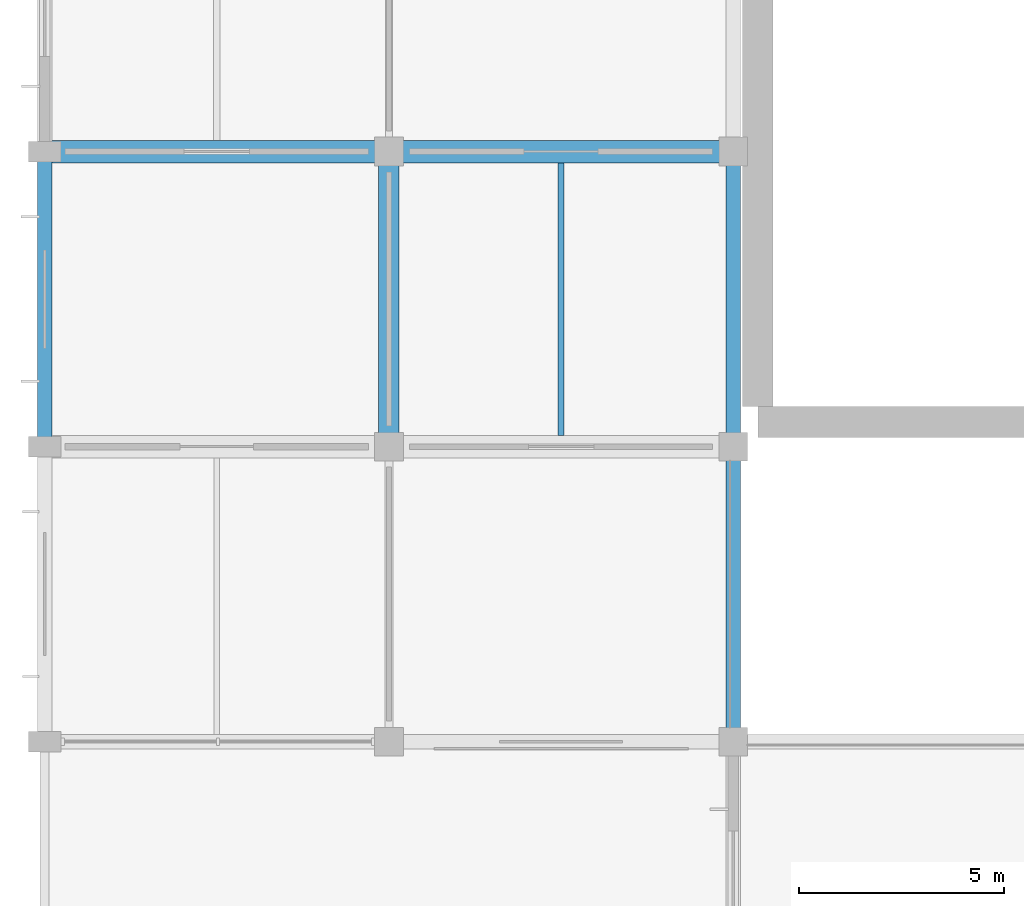
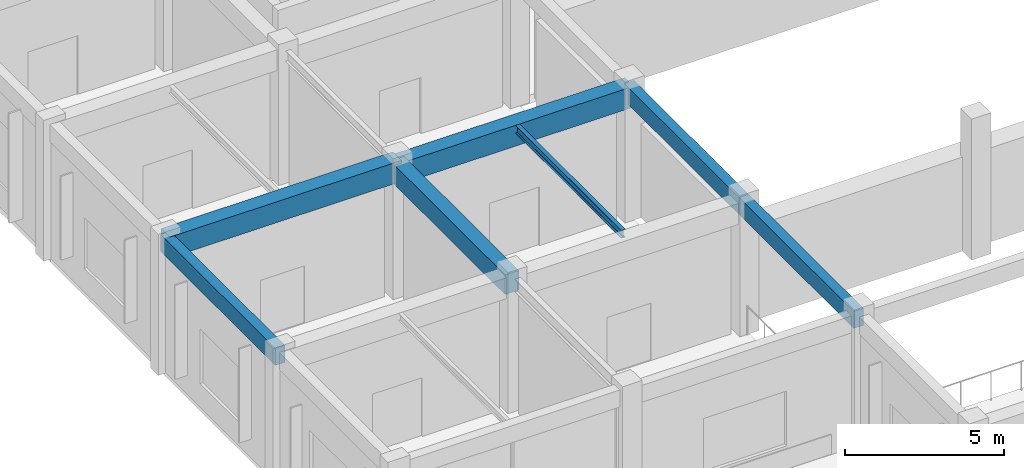
# One storey, part 3 of 41: 7 beams.
"""IFC4 building model written with IfcOpenShell, lengths in metres."""

import ifcopenshell
import ifcopenshell.guid

model = None  # the IFC model being written
_history = None  # IfcOwnerHistory: only IFC2X3 demands one
_inside = {}  # id of a spatial element -> (the spatial element, [elements in it])
_under = {}  # id of a project, library or spatial element -> (it, [spatial elements below it])
_declared = {}  # id of a project -> (the project, [libraries it declares])
_typed = {}  # id of a type object -> (the type object, [elements of that type])
_made_of = {}  # id of a material, layer set ... -> (it, [elements and type objects made of it])


def new_model(schema):
    """Start an empty IFC model of exactly this schema.

    Asked for "IFC4X3", IfcOpenShell would pick the latest addendum, in which some entities
    have other attributes; the version numbers below select the first issue.
    IFC2X3 requires an IfcOwnerHistory on every rooted entity: one is made here for all.
    """
    global model, _history
    if schema == "IFC4X3":
        model = ifcopenshell.file(schema_version=(4, 3, 0, 0))
    else:
        model = ifcopenshell.file(schema=schema)
    _inside.clear()
    _under.clear()
    _declared.clear()
    _typed.clear()
    _made_of.clear()
    _history = None
    if model.schema == "IFC2X3":
        org = make("IfcOrganization", Name="unknown")
        user = make(
            "IfcPersonAndOrganization",
            ThePerson=make("IfcPerson", FamilyName="unknown"),
            TheOrganization=org,
        )
        app = make(
            "IfcApplication",
            ApplicationDeveloper=org,
            Version="unknown",
            ApplicationFullName="unknown",
            ApplicationIdentifier="unknown",
        )
        _history = make(
            "IfcOwnerHistory",
            OwningUser=user,
            OwningApplication=app,
            ChangeAction="ADDED",
            CreationDate=0,
        )
    return model


def make(cls, **values):
    """One entity of the class cls with the attributes given. An attribute that is None is left unset."""
    return model.create_entity(
        cls, **{name: value for name, value in values.items() if value is not None}
    )


def rooted(cls, **values):
    """An entity with a GlobalId (a new one), such as an element, a storey or a relation."""
    return make(cls, GlobalId=ifcopenshell.guid.new(), OwnerHistory=_history, **values)


def si_unit(unit_type, name, prefix=None):
    """IfcSIUnit, for example si_unit("LENGTHUNIT", "METRE", prefix="MILLI")."""
    return make("IfcSIUnit", UnitType=unit_type, Prefix=prefix, Name=name)


def derived_unit(unit_type, elements):
    """IfcDerivedUnit: a product of units, each with its exponent."""
    return make(
        "IfcDerivedUnit",
        Elements=[
            make("IfcDerivedUnitElement", Unit=unit, Exponent=power)
            for unit, power in elements
        ],
        UnitType=unit_type,
    )


def assignment(units):
    """IfcUnitAssignment: the units of a project."""
    return None if units is None else make("IfcUnitAssignment", Units=units)


def point(xyz):
    """IfcCartesianPoint."""
    return None if xyz is None else make("IfcCartesianPoint", Coordinates=xyz)


def direction(xyz):
    """IfcDirection."""
    return None if xyz is None else make("IfcDirection", DirectionRatios=xyz)


def frame(location, z_axis=None, x_axis=None):
    """IfcAxis2Placement3D, a coordinate frame: its origin and axes. An axis left out is left unset."""
    return make(
        "IfcAxis2Placement3D",
        Location=point(location),
        Axis=direction(z_axis),
        RefDirection=direction(x_axis),
    )


def frame_2d(location, x_axis=None):
    """IfcAxis2Placement2D, a coordinate frame in the plane: its origin and x axis."""
    return make(
        "IfcAxis2Placement2D", Location=point(location), RefDirection=direction(x_axis)
    )


def origin():
    """The frame at (0, 0, 0) with its axes left unset."""
    return frame((0.0, 0.0, 0.0))


def origin_2d():
    """The frame at (0, 0) in the plane with its x axis left unset."""
    return frame_2d((0.0, 0.0))


def place(relative_to, where):
    """IfcLocalPlacement: puts the frame where relative to a parent placement (None: the world)."""
    return make(
        "IfcLocalPlacement", PlacementRelTo=relative_to, RelativePlacement=where
    )


def context(
    kind, dimensions, precision=None, world=None, true_north=None, identifier=None
):
    """IfcGeometricRepresentationContext, for example the 3D "Model" context."""
    return make(
        "IfcGeometricRepresentationContext",
        ContextIdentifier=identifier,
        ContextType=kind,
        CoordinateSpaceDimension=dimensions,
        Precision=precision,
        WorldCoordinateSystem=world,
        TrueNorth=true_north,
    )


def subcontext(parent, identifier, kind, view, scale=None):
    """IfcGeometricRepresentationSubContext, for example "Body" below "Model"."""
    return make(
        "IfcGeometricRepresentationSubContext",
        ContextIdentifier=identifier,
        ContextType=kind,
        ParentContext=parent,
        TargetScale=scale,
        TargetView=view,
    )


def project(units=None, contexts=None):
    """IfcProject with its units and contexts."""
    return rooted(
        "IfcProject",
        Name="project",
        RepresentationContexts=contexts,
        UnitsInContext=assignment(units),
    )


def spatial(cls, under=None, at=None, **own):
    """A site, building, storey or space (cls), placed at a placement, below another one or the project."""
    s = rooted(cls, ObjectPlacement=at, **own)
    if under is not None:
        _under.setdefault(under.id(), (under, []))[1].append(s)
    return s


def profile(cls, at=None, kind="AREA", **sizes):
    """A parametric profile (cls). Its sizes go by their IFC names, for example OverallWidth=200.0."""
    return make(cls, ProfileType=kind, Position=at, **sizes)


def rectangle(**sizes):
    """IfcRectangleProfileDef."""
    return profile("IfcRectangleProfileDef", **sizes)


def i_section(**sizes):
    """IfcIShapeProfileDef."""
    return profile("IfcIShapeProfileDef", **sizes)


def extrude(swept, where, along, depth):
    """IfcExtrudedAreaSolid: the profile swept, set in the frame where, extruded along a direction by depth."""
    return make(
        "IfcExtrudedAreaSolid",
        SweptArea=swept,
        Position=where,
        ExtrudedDirection=direction(along),
        Depth=depth,
    )


def shape(context_of_items, identifier, shape_type, items):
    """IfcShapeRepresentation: the items that make up one representation, for example the "Body"."""
    return make(
        "IfcShapeRepresentation",
        ContextOfItems=context_of_items,
        RepresentationIdentifier=identifier,
        RepresentationType=shape_type,
        Items=items,
    )


def material(Name=None, Category=None):
    """IfcMaterial."""
    return make("IfcMaterial", Name=Name, Category=Category)


def material_profile(
    of_material, cross_section, Name=None, Category=None, Priority=None
):
    """IfcMaterialProfile: a cross section and its material."""
    return make(
        "IfcMaterialProfile",
        Name=Name,
        Material=of_material,
        Profile=cross_section,
        Priority=Priority,
        Category=Category,
    )


def profile_set(profiles, Name=None, composite=None):
    """IfcMaterialProfileSet."""
    return make(
        "IfcMaterialProfileSet",
        Name=Name,
        MaterialProfiles=profiles,
        CompositeProfile=composite,
    )


def made_of(thing, what):
    """Note that an element or type object is made of a material, layer set ...; save() writes the relation."""
    if what is not None:
        _made_of.setdefault(what.id(), (what, []))[1].append(thing)
    return thing


def type_object(cls, material=None, **own):
    """A type object (cls), such as IfcWallType, which elements share."""
    return made_of(rooted(cls, **own), material)


def element(
    cls,
    number,
    at=None,
    inside=None,
    cuts=None,
    type_object=None,
    material=None,
    context=None,
    identifier="Body",
    shape_type=None,
    held_by="IfcProductDefinitionShape",
    body=None,
    shapes=None,
    **own,
):
    """One element of the class cls, such as IfcWall. Its Tag is "e" and its number.

    at: its placement. inside: the storey or other place that contains it. cuts: it is an
    opening in that element (IfcRelVoidsElement). A single representation is given by context,
    identifier, shape_type and body (its items); several are given by shapes. held_by: the class
    of the entity that holds the representations. save() writes the other relations.
    """
    e = rooted(cls, Tag="e%d" % number, ObjectPlacement=at, **own)
    if body is not None:
        shapes = [shape(context, identifier, shape_type, body)]
    if shapes is not None:
        e.Representation = make(held_by, Representations=shapes)
    if inside is not None:
        _inside.setdefault(inside.id(), (inside, []))[1].append(e)
    if cuts is not None:
        rooted(
            "IfcRelVoidsElement", RelatingBuildingElement=cuts, RelatedOpeningElement=e
        )
    if type_object is not None:
        _typed.setdefault(type_object.id(), (type_object, []))[1].append(e)
    return made_of(e, material)


def aggregate(whole, parts):
    """IfcRelAggregates: a whole, such as a stair, and the parts it consists of."""
    return rooted("IfcRelAggregates", RelatingObject=whole, RelatedObjects=parts)


def save(model, path):
    """Write the relations noted so far, then the file.

    IfcRelAggregates (storeys below a building ...), IfcRelContainedInSpatialStructure (elements
    in a storey), IfcRelDefinesByType, IfcRelAssociatesMaterial and IfcRelDeclares: one each for
    every whole, place, type object, material and project.
    """
    for whole, parts in _under.values():
        aggregate(whole, parts)
    for where, things in _inside.values():
        rooted(
            "IfcRelContainedInSpatialStructure",
            RelatedElements=things,
            RelatingStructure=where,
        )
    for kind, things in _typed.values():
        rooted("IfcRelDefinesByType", RelatedObjects=things, RelatingType=kind)
    for what, things in _made_of.values():
        rooted("IfcRelAssociatesMaterial", RelatedObjects=things, RelatingMaterial=what)
    for by, libraries in _declared.values():
        rooted("IfcRelDeclares", RelatingContext=by, RelatedDefinitions=libraries)
    model.write(path)


model = new_model("IFC4")

# Units and contexts
model_context = context("Model", 3, precision=1e-05, world=origin(), true_north=direction((0.0, 1.0)))
body_context = subcontext(model_context, "Body", "Model", "MODEL_VIEW")
ifc_project = project(units=[si_unit("LENGTHUNIT", "METRE"), si_unit("AREAUNIT", "SQUARE_METRE"), si_unit("VOLUMEUNIT", "CUBIC_METRE"), si_unit("PLANEANGLEUNIT", "RADIAN"), si_unit("MASSUNIT", "GRAM", prefix="KILO"), derived_unit("THERMALTRANSMITTANCEUNIT", [(si_unit("MASSUNIT", "GRAM", prefix="KILO"), 1), (si_unit("TIMEUNIT", "SECOND"), -3), (si_unit("THERMODYNAMICTEMPERATUREUNIT", "KELVIN"), -1)])], contexts=[model_context])

# Site, building, storey
site_placement = place(None, origin())
site = spatial("IfcSite", under=ifc_project, at=site_placement, CompositionType="ELEMENT")
building_placement = place(site_placement, origin())
building = spatial("IfcBuilding", under=site, at=building_placement, Name="Veldstrom Oceanarium and Marine Research Institute", CompositionType="ELEMENT")
storey_placement = place(building_placement, frame((0.0, 0.0, 6.0)))
storey = spatial("IfcBuildingStorey", under=building, at=storey_placement, Name="L01", CompositionType="ELEMENT", Elevation=6.0)

# Beams
ifc_material_1 = material(Name="Concrete C40/50", Category="concrete")
ifc_material_profile_1 = material_profile(ifc_material_1, rectangle(XDim=0.550048828125, YDim=0.800048828125, at=origin_2d()), Name="RC-BM-550x800")
ifc_profile_set_1 = profile_set([ifc_material_profile_1], Name="Concrete C40/50")
beam_type_1 = type_object("IfcBeamType", Name="STR-BM-B02", PredefinedType="BEAM", material=ifc_profile_set_1)
beam_1_placement = place(storey_placement, frame((0.0, 28.800048828125, 4.77001953125), z_axis=(1.0, 0.0, 0.0), x_axis=(0.0, 1.0, 0.0)))
element("IfcBeam", 1, at=beam_1_placement, inside=storey, type_object=beam_type_1, Name="Primary Beam B02 L01-1134", PredefinedType="BEAM", context=body_context, shape_type="SweptSolid", body=[
    extrude(rectangle(XDim=0.550048828125, YDim=0.800048828125, at=origin_2d()), origin(), (0.0, 0.0, 1.0), 8.39990234375),
])
beam_2_placement = place(storey_placement, frame((8.39990234375, 28.800048828125, 4.669921875), z_axis=(1.0, 0.0, 0.0), x_axis=(0.0, 1.0, 0.0)))
element("IfcBeam", 2, at=beam_2_placement, inside=storey, type_object=beam_type_1, Name="Primary Beam B02 L01-1143", PredefinedType="BEAM", context=body_context, shape_type="SweptSolid", body=[
    extrude(rectangle(XDim=0.550048828125, YDim=0.800048828125, at=origin_2d()), origin(), (0.0, 0.0, 1.0), 8.400146484375),
])
ifc_material_2 = material(Name="Concrete C40/50", Category="concrete")
ifc_material_profile_2 = material_profile(ifc_material_2, rectangle(XDim=0.5, YDim=0.75, at=origin_2d()), Name="RC-BM-500x750")
ifc_profile_set_2 = profile_set([ifc_material_profile_2], Name="Concrete C40/50")
beam_type_2 = type_object("IfcBeamType", Name="STR-BM-B03", PredefinedType="BEAM", material=ifc_profile_set_2)
beam_3_placement = place(storey_placement, frame((8.39990234375, 21.60009765625, 4.695068359375), z_axis=(0.0, 1.0, 0.0), x_axis=(-1.0, 0.0, 0.0)))
element("IfcBeam", 3, at=beam_3_placement, inside=storey, type_object=beam_type_2, Name="Primary Beam B03 L01-1294", PredefinedType="BEAM", context=body_context, shape_type="SweptSolid", body=[
    extrude(rectangle(XDim=0.5, YDim=0.75, at=origin_2d()), origin(), (0.0, 0.0, 1.0), 7.199951171875),
])
ifc_material_3 = material(Name="Steel S355JR", Category="steel")
ifc_material_profile_3 = material_profile(ifc_material_3, i_section(OverallWidth=0.14990234375, OverallDepth=0.300048828125, WebThickness=0.007080078125, FlangeThickness=0.0107421875, FilletRadius=0.014892578125, at=origin_2d()), Name="IPE 300")
ifc_profile_set_3 = profile_set([ifc_material_profile_3], Name="Steel S355JR")
beam_type_3 = type_object("IfcBeamType", Name="STR-JST-SJ2", PredefinedType="JOIST", material=ifc_profile_set_3)
beam_4_placement = place(storey_placement, frame((12.60009765625, 21.875, 4.919921875), z_axis=(0.0, 1.0, 0.0), x_axis=(-1.0, 0.0, 0.0)))
element("IfcBeam", 4, at=beam_4_placement, inside=storey, type_object=beam_type_3, Name="Secondary Joist SJ2 L01-1436", PredefinedType="JOIST", context=body_context, shape_type="SweptSolid", body=[
    extrude(i_section(OverallWidth=0.14990234375, OverallDepth=0.300048828125, WebThickness=0.007080078125, FlangeThickness=0.0107421875, FilletRadius=0.014892578125, at=origin_2d()), origin(), (0.0, 0.0, 1.0), 6.64990234375),
])
ifc_material_4 = material(Name="Concrete C40/50", Category="concrete")
ifc_material_profile_4 = material_profile(ifc_material_4, rectangle(XDim=0.35009765625, YDim=0.64990234375, at=origin_2d()), Name="RC-SPN-350x650")
ifc_profile_set_4 = profile_set([ifc_material_profile_4], Name="Concrete C40/50")
beam_type_4 = type_object("IfcBeamType", Name="STR-SPN-SP1", PredefinedType="SPANDREL", material=ifc_profile_set_4)
beam_5_placement = place(storey_placement, frame((0.0, 21.60009765625, 4.844970703125), z_axis=(0.0, 1.0, 0.0), x_axis=(-1.0, 0.0, 0.0)))
element("IfcBeam", 5, at=beam_5_placement, inside=storey, type_object=beam_type_4, Name="Perimeter Spandrel SPB1 L01-1286", PredefinedType="SPANDREL", context=body_context, shape_type="SweptSolid", body=[
    extrude(rectangle(XDim=0.35009765625, YDim=0.64990234375, at=origin_2d()), origin(), (0.0, 0.0, 1.0), 7.199951171875),
])
beam_6_placement = place(storey_placement, frame((16.800048828125, 14.39990234375, 4.7451171875), z_axis=(0.0, 1.0, 0.0), x_axis=(-1.0, 0.0, 0.0)))
element("IfcBeam", 6, at=beam_6_placement, inside=storey, type_object=beam_type_4, Name="Perimeter Spandrel SPB1 L01-1303", PredefinedType="SPANDREL", context=body_context, shape_type="SweptSolid", body=[
    extrude(rectangle(XDim=0.35009765625, YDim=0.64990234375, at=origin_2d()), origin(), (0.0, 0.0, 1.0), 7.2001953125),
])
beam_7_placement = place(storey_placement, frame((16.800048828125, 21.60009765625, 4.7451171875), z_axis=(0.0, 1.0, 0.0), x_axis=(-1.0, 0.0, 0.0)))
element("IfcBeam", 7, at=beam_7_placement, inside=storey, type_object=beam_type_4, Name="Perimeter Spandrel SPB1 L01-1304", PredefinedType="SPANDREL", context=body_context, shape_type="SweptSolid", body=[
    extrude(rectangle(XDim=0.35009765625, YDim=0.64990234375, at=origin_2d()), origin(), (0.0, 0.0, 1.0), 7.199951171875),
])

save(model, "model.ifc")
